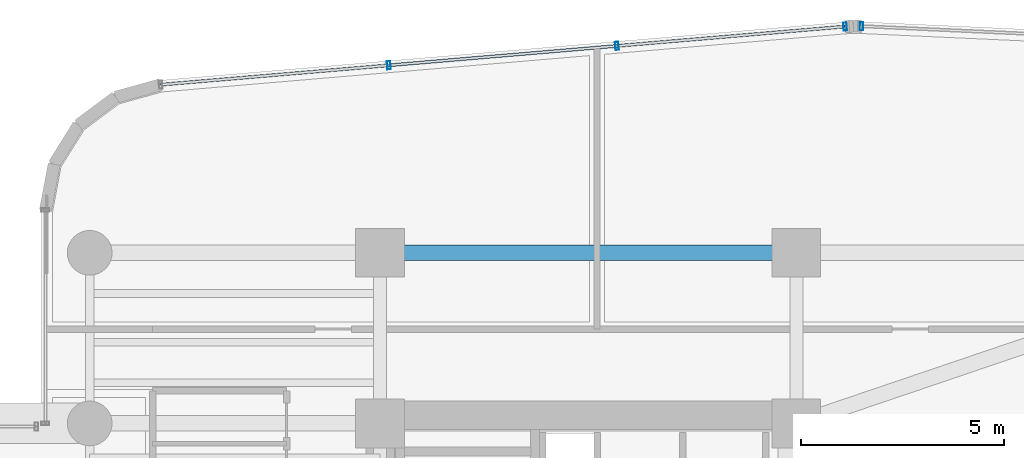
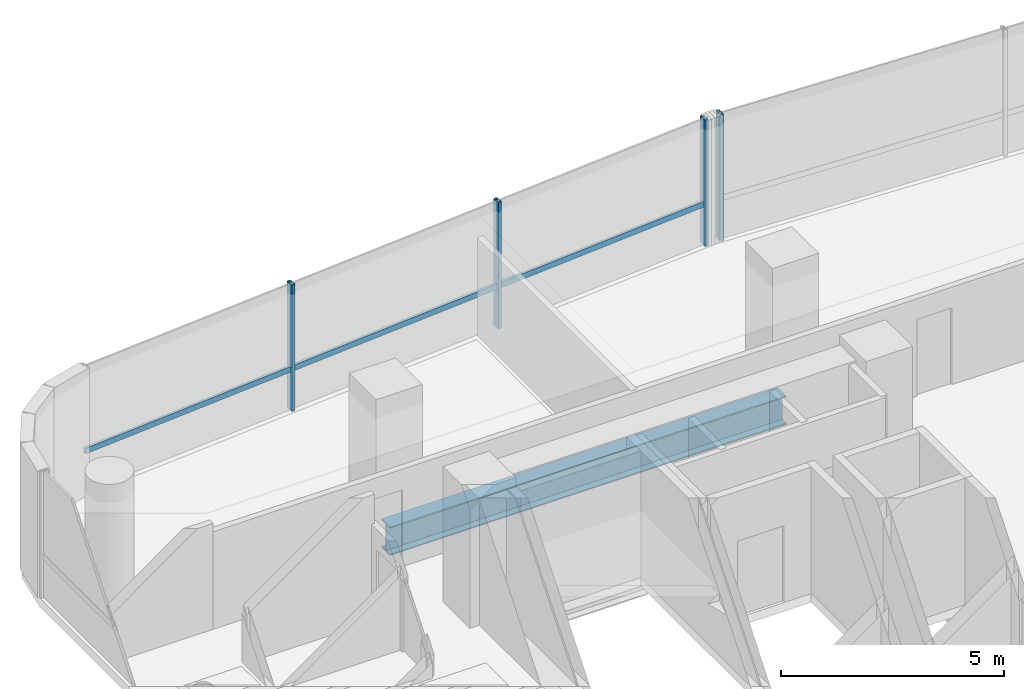
# One storey, part 19 of 34: 5 members, 1 beam, 2 elements without a shape of their own.
"""IFC4 building model written with IfcOpenShell, lengths in metres."""

from ifc_helpers import new_model, si_unit, direction, frame, origin, origin_2d, place, context, subcontext, project, spatial, hollow_rectangle, i_section, extrude, source, transform, mapped, material, material_profile, profile_set, type_object, element, aggregate, save


model = new_model("IFC4")

# Units and contexts
model_context = context("Model", 3, precision=1e-05, world=origin(), true_north=direction((0.0, 1.0)))
body_context = subcontext(model_context, "Body", "Model", "MODEL_VIEW")
ifc_project = project(units=[si_unit("LENGTHUNIT", "METRE"), si_unit("AREAUNIT", "SQUARE_METRE"), si_unit("VOLUMEUNIT", "CUBIC_METRE"), si_unit("PLANEANGLEUNIT", "RADIAN"), si_unit("MASSUNIT", "GRAM", prefix="KILO")], contexts=[model_context])

# Site, building, storey
site_placement = place(None, origin())
site = spatial("IfcSite", under=ifc_project, at=site_placement, CompositionType="ELEMENT")
building_placement = place(site_placement, origin())
building = spatial("IfcBuilding", under=site, at=building_placement, Name="Valdorenza Pilgrim Sanctuary Tower", CompositionType="ELEMENT")
storey_placement = place(building_placement, frame((0.0, 0.0, 146.39990234375)))
storey = spatial("IfcBuildingStorey", under=building, at=storey_placement, Name="L37", CompositionType="ELEMENT", Elevation=146.39990234375)

# Beam
ifc_material_1 = material(Name="Steel ASTM A992 Grade 50", Category="steel")
ifc_material_profile_1 = material_profile(ifc_material_1, i_section(OverallWidth=0.382080078125, OverallDepth=0.779052734375, WebThickness=0.01806640625, FlangeThickness=0.030029296875, at=origin_2d()), Name="W30X191")
ifc_profile_set_1 = profile_set([ifc_material_profile_1], Name="Steel ASTM A992 Grade 50")
beam_type = type_object("IfcBeamType", Name="STR-BM-GRD-W30", PredefinedType="BEAM", material=ifc_profile_set_1)
shared_shape_1 = source(origin(), body_context, "Body", "SweptSolid", [
    extrude(i_section(OverallWidth=0.382080078125, OverallDepth=0.779052734375, WebThickness=0.01806640625, FlangeThickness=0.030029296875, at=origin_2d()), origin(), (0.0, 0.0, 1.0), 10.25),
])
beam_placement = place(storey_placement, frame((-22.64990234375, 14.800048828125, -0.62939453125), z_axis=(1.0, 0.0, 0.0), x_axis=(0.0, 1.0, 0.0)))
element("IfcBeam", 1, at=beam_placement, inside=storey, type_object=beam_type, Name="L37 Floor Girder CA-XC-N2", PredefinedType="BEAM", context=body_context, shape_type="MappedRepresentation", body=[
    mapped(shared_shape_1, transform((0.0, 0.0, 0.0), x_axis=(1.0, 0.0, 0.0), y_axis=(0.0, 1.0, 0.0), z_axis=(0.0, 0.0, 1.0), scale=1.0)),
])

# Curtain wall, members
ifc_material_2 = material(Name="Curtain-wall IGU glazing", Category="glass")
curtain_wall_type = type_object("IfcCurtainWallType", Name="CW-SYS-02", PredefinedType="NOTDEFINED", material=ifc_material_2)
curtain_wall_1_placement = place(storey_placement, origin())
curtain_wall_1 = element("IfcCurtainWall", 2, at=curtain_wall_1_placement, inside=storey, type_object=curtain_wall_type, Name="L37 Curtain Wall CW-L37-1-6", PredefinedType="NOTDEFINED")
ifc_material_3 = material(Name="Anodised aluminium AW-6060", Category="aluminium")
ifc_material_profile_2 = material_profile(ifc_material_3, hollow_rectangle(XDim=0.0849609375, YDim=0.199951171875, WallThickness=0.0048828125, at=origin_2d()), Name="ALU-M 200x85x5")
ifc_profile_set_2 = profile_set([ifc_material_profile_2], Name="Anodised aluminium AW-6060")
member_type_1 = type_object("IfcMemberType", Name="CW-MUL-02", PredefinedType="MULLION", material=ifc_profile_set_2)
shared_shape_2 = source(origin(), body_context, "Body", "SweptSolid", [
    extrude(hollow_rectangle(XDim=0.0849609375, YDim=0.199951171875, WallThickness=0.0048828125, at=origin_2d()), origin(), (0.0, 0.0, 1.0), 3.460205078125),
])
member_1_placement = place(storey_placement, frame((-22.43408203125, 19.417724609375, 0.0), z_axis=(0.0, 0.0, 1.0), x_axis=(0.99640764237, 0.084686541006, 0.0)))
member_1 = element("IfcMember", 3, at=member_1_placement, type_object=member_type_1, Name="CW-L37-1-6 Mullion 2", PredefinedType="MULLION", context=body_context, shape_type="MappedRepresentation", body=[
    mapped(shared_shape_2, transform((0.0, 0.0, 0.0), x_axis=(1.0, 0.0, 0.0), y_axis=(0.0, 1.0, 0.0), z_axis=(0.0, 0.0, 1.0), scale=1.0)),
])
member_2_placement = place(storey_placement, frame((-16.81689453125, 19.895263671875, 0.0), z_axis=(0.0, 0.0, 1.0), x_axis=(0.99640764237, 0.084686541006, 0.0)))
member_2 = element("IfcMember", 4, at=member_2_placement, type_object=member_type_1, Name="CW-L37-1-6 Mullion 3", PredefinedType="MULLION", context=body_context, shape_type="MappedRepresentation", body=[
    mapped(shared_shape_2, transform((0.0, 0.0, 0.0), x_axis=(1.0, 0.0, 0.0), y_axis=(0.0, 1.0, 0.0), z_axis=(0.0, 0.0, 1.0), scale=1.0)),
])
member_3_placement = place(storey_placement, frame((-11.199462890625, 20.37255859375, 0.0), z_axis=(0.0, 0.0, 1.0), x_axis=(0.99640764237, 0.084686541006, 0.0)))
member_3 = element("IfcMember", 5, at=member_3_placement, type_object=member_type_1, Name="CW-L37-1-6 Mullion 4", PredefinedType="MULLION", context=body_context, shape_type="MappedRepresentation", body=[
    mapped(shared_shape_2, transform((0.0, 0.0, 0.0), x_axis=(1.0, 0.0, 0.0), y_axis=(0.0, 1.0, 0.0), z_axis=(0.0, 0.0, 1.0), scale=1.0)),
])

# Curtain wall, member
curtain_wall_2_placement = place(storey_placement, origin())
curtain_wall_2 = element("IfcCurtainWall", 6, at=curtain_wall_2_placement, inside=storey, type_object=curtain_wall_type, Name="L37 Curtain Wall CW-L37-1-11", PredefinedType="NOTDEFINED")
member_4_placement = place(storey_placement, frame((-10.795654296875, 20.380615234375, 0.0), z_axis=(0.0, 0.0, 1.0), x_axis=(0.998968193221, -0.045415294044, 0.0)))
member_4 = element("IfcMember", 7, at=member_4_placement, type_object=member_type_1, Name="CW-L37-1-11 Mullion 1", PredefinedType="MULLION", context=body_context, shape_type="MappedRepresentation", body=[
    mapped(shared_shape_2, transform((0.0, 0.0, 0.0), x_axis=(1.0, 0.0, 0.0), y_axis=(0.0, 1.0, 0.0), z_axis=(0.0, 0.0, 1.0), scale=1.0)),
])
aggregate(curtain_wall_2, [member_4])

# Member
ifc_material_profile_3 = material_profile(ifc_material_3, hollow_rectangle(XDim=0.074951171875, YDim=0.14990234375, WallThickness=0.00390625, at=origin_2d()), Name="ALU-T 150x75x4")
ifc_profile_set_3 = profile_set([ifc_material_profile_3], Name="Anodised aluminium AW-6060")
member_type_2 = type_object("IfcMemberType", Name="CW-TRN-02", PredefinedType="USERDEFINED", material=ifc_profile_set_3)
shared_shape_3 = source(origin(), body_context, "Body", "SweptSolid", [
    extrude(hollow_rectangle(XDim=0.074951171875, YDim=0.14990234375, WallThickness=0.00390625, at=origin_2d()), origin(), (0.0, 0.0, 1.0), 16.912841796875),
])
member_5_placement = place(storey_placement, frame((-28.051513671875, 18.940185546875, 1.1201171875), z_axis=(0.996407213932, 0.084691581783, 0.0), x_axis=(-0.084691581783, 0.996407213932, 0.0)))
member_5 = element("IfcMember", 8, at=member_5_placement, type_object=member_type_2, Name="CW-L37-1-6 Transom 1", ObjectType="TRANSOM", PredefinedType="USERDEFINED", context=body_context, shape_type="MappedRepresentation", body=[
    mapped(shared_shape_3, transform((0.0, 0.0, 0.0), x_axis=(1.0, 0.0, 0.0), y_axis=(0.0, 1.0, 0.0), z_axis=(0.0, 0.0, 1.0), scale=1.0)),
])

aggregate(curtain_wall_1, [member_1, member_2, member_3, member_5])

save(model, "model.ifc")
